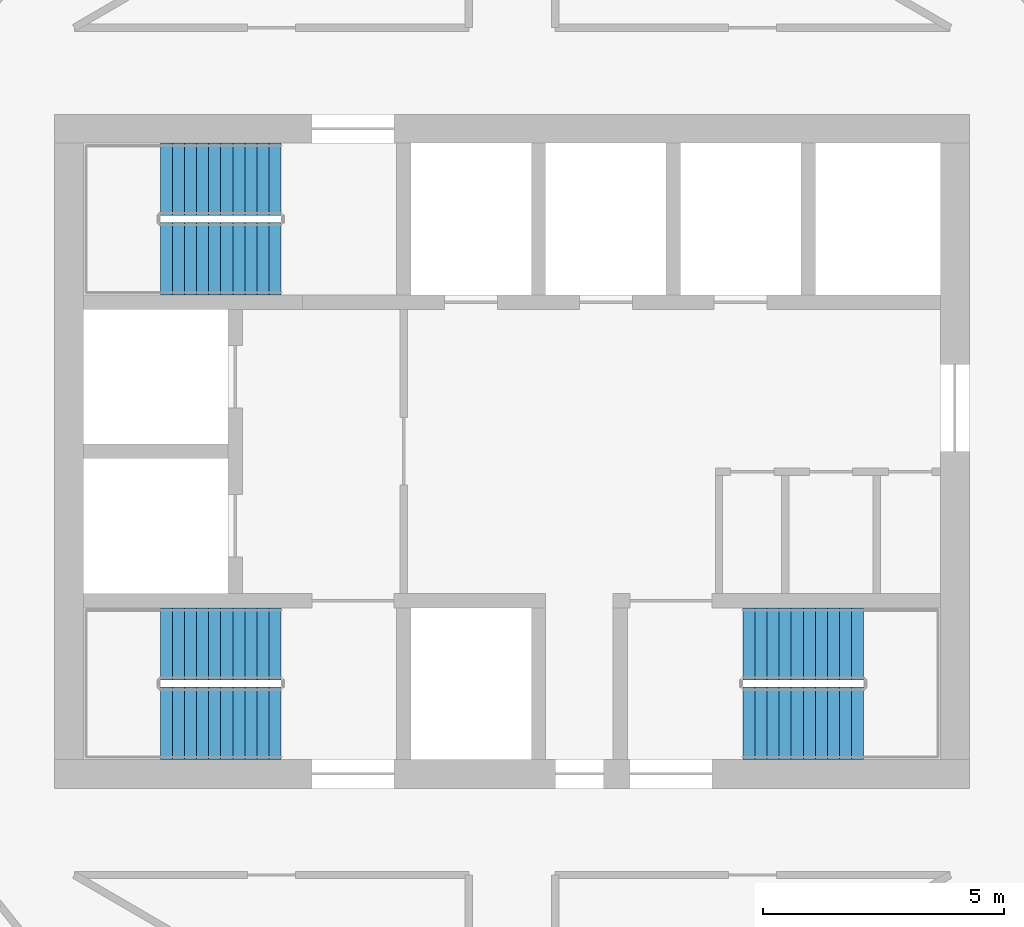
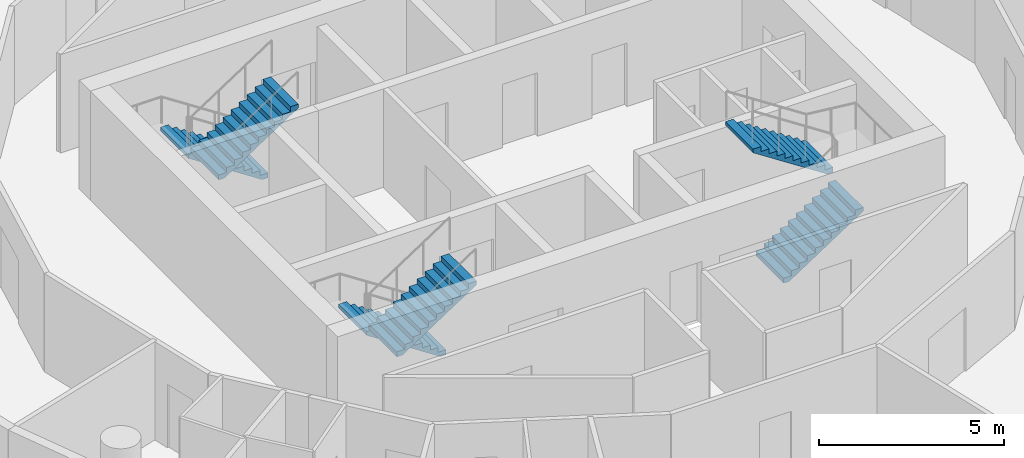
# One storey, part 12 of 13: 6 stair flights, 3 elements without a shape of their own.
"""IFC4 building model written with IfcOpenShell, lengths in metres."""

from ifc_helpers import new_model, si_unit, direction, frame, origin, place, context, subcontext, project, spatial, polyline, outline, extrude, material, type_object, element, aggregate, save


model = new_model("IFC4")

# Units and contexts
model_context = context("Model", 3, precision=1e-05, world=origin(), true_north=direction((0.0, 1.0)))
body_context = subcontext(model_context, "Body", "Model", "MODEL_VIEW")
ifc_project = project(units=[si_unit("LENGTHUNIT", "METRE"), si_unit("AREAUNIT", "SQUARE_METRE"), si_unit("VOLUMEUNIT", "CUBIC_METRE"), si_unit("PLANEANGLEUNIT", "RADIAN"), si_unit("MASSUNIT", "GRAM", prefix="KILO")], contexts=[model_context])

# Site, building, storey
site_placement = place(None, origin())
site = spatial("IfcSite", under=ifc_project, at=site_placement, CompositionType="ELEMENT")
building_placement = place(site_placement, origin())
building = spatial("IfcBuilding", under=site, at=building_placement, Name="Tracery Tower", CompositionType="ELEMENT")
storey_placement = place(building_placement, frame((0.0, 0.0, 259.800048828125)))
storey = spatial("IfcBuildingStorey", under=building, at=storey_placement, Name="L67", CompositionType="ELEMENT", Elevation=259.800048828125)

# Stair, stair flights
ifc_material_1 = material(Name="Concrete C32/40", Category="concrete")
stair_type = type_object("IfcStairType", Name="Core stair 22 risers", PredefinedType="HALF_TURN_STAIR", material=ifc_material_1)
stair_1_placement = place(storey_placement, origin())
stair_1 = element("IfcStair", 1, at=stair_1_placement, inside=storey, type_object=stair_type, Name="L67 stair ST1", PredefinedType="HALF_TURN_STAIR")
ifc_material_2 = material(Name="Concrete C32/40", Category="concrete")
stair_flight_type = type_object("IfcStairFlightType", Name="Core stair flight 11 risers", PredefinedType="STRAIGHT", material=ifc_material_2)
stair_flight_1_placement = place(storey_placement, frame((-4.800048828125, -4.0, 0.0), z_axis=(0.0, 0.0, 1.0), x_axis=(-1.0, 0.0, 0.0)))
stair_flight_1 = element("IfcStairFlight", 2, at=stair_flight_1_placement, type_object=stair_flight_type, Name="ST1 flight 1", NumberOfRisers=11, NumberOfTreads=10, PredefinedType="STRAIGHT", RiserHeight=0.163636364, TreadLength=0.25, context=body_context, shape_type="SweptSolid", body=[
    extrude(outline(polyline([(0.0, 0.0), (0.0, 0.002685546875), (0.0, 0.00537109375), (0.0, 0.008056640625), (0.0, 0.0107421875), (0.0, 0.013427734375), (0.0, 0.01611328125), (0.0, 0.018798828125), (0.0, 0.021484375), (0.0, 0.024169921875), (0.0, 0.02685546875), (0.0, 0.029541015625), (0.0, 0.0322265625), (0.0, 0.034912109375), (0.0, 0.03759765625), (0.0, 0.040283203125), (0.0, 0.04296875), (0.0, 0.045654296875), (0.0, 0.04833984375), (0.0, 0.051025390625), (0.0, 0.0537109375), (0.0, 0.056396484375), (0.0, 0.05908203125), (0.0, 0.061767578125), (0.0, 0.064453125), (0.0, 0.067138671875), (0.0, 0.06982421875), (0.0, 0.072509765625), (0.0, 0.0751953125), (0.0, 0.077880859375), (0.0, 0.08056640625), (0.0, 0.083251953125), (0.0, 0.0859375), (0.0, 0.088623046875), (0.0, 0.09130859375), (0.0, 0.093994140625), (0.0, 0.0966796875), (0.0, 0.099365234375), (0.0, 0.10205078125), (0.0, 0.104736328125), (0.0, 0.107421875), (0.0, 0.10986328125), (0.0, 0.112548828125), (0.0, 0.115234375), (0.0, 0.117919921875), (0.0, 0.12060546875), (0.0, 0.123291015625), (0.0, 0.1259765625), (0.0, 0.128662109375), (0.0, 0.13134765625), (0.0, 0.134033203125), (0.0, 0.13671875), (0.0, 0.139404296875), (0.0, 0.14208984375), (0.0, 0.144775390625), (0.0, 0.1474609375), (0.0, 0.150146484375), (0.0, 0.15283203125), (0.0, 0.155517578125), (0.0, 0.158203125), (0.0, 0.160888671875), (0.0, 0.16357421875), (0.25, 0.16357421875), (0.25, 0.327392578125), (0.5, 0.327392578125), (0.5, 0.490966796875), (0.75, 0.490966796875), (0.75, 0.654541015625), (1.0, 0.654541015625), (1.0, 0.818115234375), (1.25, 0.818115234375), (1.25, 0.98193359375), (1.5, 0.98193359375), (1.5, 1.1455078125), (1.75, 1.1455078125), (1.75, 1.30908203125), (2.0, 1.30908203125), (2.0, 1.47265625), (2.25, 1.47265625), (2.25, 1.636474609375), (2.5, 1.636474609375), (2.5, 1.634521484375), (2.5, 1.63232421875), (2.5, 1.63037109375), (2.5, 1.62841796875), (2.5, 1.62646484375), (2.5, 1.62451171875), (2.5, 1.62255859375), (2.5, 1.62060546875), (2.5, 1.61865234375), (2.5, 1.61669921875), (2.5, 1.61474609375), (2.5, 1.61279296875), (2.5, 1.61083984375), (2.5, 1.60888671875), (2.5, 1.60693359375), (2.5, 1.60498046875), (2.5, 1.60302734375), (2.5, 1.60107421875), (2.5, 1.59912109375), (2.5, 1.59716796875), (2.5, 1.59521484375), (2.5, 1.59326171875), (2.5, 1.59130859375), (2.5, 1.58935546875), (2.5, 1.58740234375), (2.5, 1.58544921875), (2.5, 1.58349609375), (2.5, 1.58154296875), (2.5, 1.57958984375), (2.5, 1.57763671875), (2.5, 1.57568359375), (2.5, 1.573486328125), (2.5, 1.571533203125), (2.5, 1.569580078125), (2.5, 1.567626953125), (2.5, 1.565673828125), (2.5, 1.563720703125), (2.5, 1.561767578125), (2.5, 1.559814453125), (2.5, 1.557861328125), (2.5, 1.555908203125), (2.5, 1.553955078125), (2.5, 1.552001953125), (2.5, 1.550048828125), (2.5, 1.548095703125), (2.5, 1.546142578125), (2.5, 1.544189453125), (2.5, 1.542236328125), (2.5, 1.540283203125), (2.5, 1.538330078125), (2.5, 1.536376953125), (2.5, 1.534423828125), (2.5, 1.532470703125), (2.5, 1.530517578125), (2.5, 1.528564453125), (2.5, 1.526611328125), (2.5, 1.524658203125), (2.5, 1.522705078125), (2.5, 1.520751953125), (2.5, 1.518798828125), (2.5, 1.516845703125), (0.182861328125, 0.0), (0.0, 0.0)])), frame((0.0, 0.75, 0.0), z_axis=(0.0, -1.0, 0.0), x_axis=(1.0, 0.0, 0.0)), (0.0, 0.0, 1.0), 1.5),
])
stair_flight_2_placement = place(storey_placement, frame((-7.300048828125, -5.64990234375, 1.800048828125), z_axis=(0.0, 0.0, 1.0), x_axis=(1.0, 0.0, 0.0)))
stair_flight_2 = element("IfcStairFlight", 3, at=stair_flight_2_placement, type_object=stair_flight_type, Name="ST1 flight 2", NumberOfRisers=11, NumberOfTreads=10, PredefinedType="STRAIGHT", RiserHeight=0.163636364, TreadLength=0.25, context=body_context, shape_type="SweptSolid", body=[
    extrude(outline(polyline([(0.0, 0.0), (0.0, 0.002685546875), (0.0, 0.00537109375), (0.0, 0.008056640625), (0.0, 0.0107421875), (0.0, 0.013427734375), (0.0, 0.01611328125), (0.0, 0.018798828125), (0.0, 0.021484375), (0.0, 0.024169921875), (0.0, 0.02685546875), (0.0, 0.029541015625), (0.0, 0.0322265625), (0.0, 0.034912109375), (0.0, 0.03759765625), (0.0, 0.040283203125), (0.0, 0.04296875), (0.0, 0.045654296875), (0.0, 0.04833984375), (0.0, 0.051025390625), (0.0, 0.0537109375), (0.0, 0.056396484375), (0.0, 0.05908203125), (0.0, 0.061767578125), (0.0, 0.064453125), (0.0, 0.067138671875), (0.0, 0.06982421875), (0.0, 0.072509765625), (0.0, 0.0751953125), (0.0, 0.077880859375), (0.0, 0.08056640625), (0.0, 0.083251953125), (0.0, 0.0859375), (0.0, 0.088623046875), (0.0, 0.09130859375), (0.0, 0.093994140625), (0.0, 0.0966796875), (0.0, 0.099365234375), (0.0, 0.10205078125), (0.0, 0.104736328125), (0.0, 0.107421875), (0.0, 0.10986328125), (0.0, 0.112548828125), (0.0, 0.115234375), (0.0, 0.117919921875), (0.0, 0.12060546875), (0.0, 0.123291015625), (0.0, 0.1259765625), (0.0, 0.128662109375), (0.0, 0.13134765625), (0.0, 0.134033203125), (0.0, 0.13671875), (0.0, 0.139404296875), (0.0, 0.14208984375), (0.0, 0.144775390625), (0.0, 0.1474609375), (0.0, 0.150146484375), (0.0, 0.15283203125), (0.0, 0.155517578125), (0.0, 0.158203125), (0.0, 0.160888671875), (0.0, 0.16357421875), (0.25, 0.16357421875), (0.25, 0.327392578125), (0.5, 0.327392578125), (0.5, 0.490966796875), (0.75, 0.490966796875), (0.75, 0.654541015625), (1.0, 0.654541015625), (1.0, 0.818115234375), (1.25, 0.818115234375), (1.25, 0.98193359375), (1.5, 0.98193359375), (1.5, 1.1455078125), (1.75, 1.1455078125), (1.75, 1.30908203125), (2.0, 1.30908203125), (2.0, 1.47265625), (2.25, 1.47265625), (2.25, 1.636474609375), (2.5, 1.636474609375), (2.5, 1.634521484375), (2.5, 1.63232421875), (2.5, 1.63037109375), (2.5, 1.62841796875), (2.5, 1.62646484375), (2.5, 1.62451171875), (2.5, 1.62255859375), (2.5, 1.62060546875), (2.5, 1.61865234375), (2.5, 1.61669921875), (2.5, 1.61474609375), (2.5, 1.61279296875), (2.5, 1.61083984375), (2.5, 1.60888671875), (2.5, 1.60693359375), (2.5, 1.60498046875), (2.5, 1.60302734375), (2.5, 1.60107421875), (2.5, 1.59912109375), (2.5, 1.59716796875), (2.5, 1.59521484375), (2.5, 1.59326171875), (2.5, 1.59130859375), (2.5, 1.58935546875), (2.5, 1.58740234375), (2.5, 1.58544921875), (2.5, 1.58349609375), (2.5, 1.58154296875), (2.5, 1.57958984375), (2.5, 1.57763671875), (2.5, 1.57568359375), (2.5, 1.573486328125), (2.5, 1.571533203125), (2.5, 1.569580078125), (2.5, 1.567626953125), (2.5, 1.565673828125), (2.5, 1.563720703125), (2.5, 1.561767578125), (2.5, 1.559814453125), (2.5, 1.557861328125), (2.5, 1.555908203125), (2.5, 1.553955078125), (2.5, 1.552001953125), (2.5, 1.550048828125), (2.5, 1.548095703125), (2.5, 1.546142578125), (2.5, 1.544189453125), (2.5, 1.542236328125), (2.5, 1.540283203125), (2.5, 1.538330078125), (2.5, 1.536376953125), (2.5, 1.534423828125), (2.5, 1.532470703125), (2.5, 1.530517578125), (2.5, 1.528564453125), (2.5, 1.526611328125), (2.5, 1.524658203125), (2.5, 1.522705078125), (2.5, 1.520751953125), (2.5, 1.518798828125), (2.5, 1.516845703125), (0.182861328125, 0.0), (0.0, 0.0)])), frame((0.0, 0.75, 0.0), z_axis=(0.0, -1.0, 0.0), x_axis=(1.0, 0.0, 0.0)), (0.0, 0.0, 1.0), 1.5),
])
aggregate(stair_1, [stair_flight_1, stair_flight_2])

stair_2_placement = place(storey_placement, origin())
stair_2 = element("IfcStair", 4, at=stair_2_placement, inside=storey, type_object=stair_type, Name="L67 stair ST3", PredefinedType="HALF_TURN_STAIR")
stair_flight_3_placement = place(storey_placement, frame((-4.800048828125, 5.64990234375, 0.0), z_axis=(0.0, 0.0, 1.0), x_axis=(-1.0, 0.0, 0.0)))
stair_flight_3 = element("IfcStairFlight", 5, at=stair_flight_3_placement, type_object=stair_flight_type, Name="ST3 flight 1", NumberOfRisers=11, NumberOfTreads=10, PredefinedType="STRAIGHT", RiserHeight=0.163636364, TreadLength=0.25, context=body_context, shape_type="SweptSolid", body=[
    extrude(outline(polyline([(0.0, 0.0), (0.0, 0.002685546875), (0.0, 0.00537109375), (0.0, 0.008056640625), (0.0, 0.0107421875), (0.0, 0.013427734375), (0.0, 0.01611328125), (0.0, 0.018798828125), (0.0, 0.021484375), (0.0, 0.024169921875), (0.0, 0.02685546875), (0.0, 0.029541015625), (0.0, 0.0322265625), (0.0, 0.034912109375), (0.0, 0.03759765625), (0.0, 0.040283203125), (0.0, 0.04296875), (0.0, 0.045654296875), (0.0, 0.04833984375), (0.0, 0.051025390625), (0.0, 0.0537109375), (0.0, 0.056396484375), (0.0, 0.05908203125), (0.0, 0.061767578125), (0.0, 0.064453125), (0.0, 0.067138671875), (0.0, 0.06982421875), (0.0, 0.072509765625), (0.0, 0.0751953125), (0.0, 0.077880859375), (0.0, 0.08056640625), (0.0, 0.083251953125), (0.0, 0.0859375), (0.0, 0.088623046875), (0.0, 0.09130859375), (0.0, 0.093994140625), (0.0, 0.0966796875), (0.0, 0.099365234375), (0.0, 0.10205078125), (0.0, 0.104736328125), (0.0, 0.107421875), (0.0, 0.10986328125), (0.0, 0.112548828125), (0.0, 0.115234375), (0.0, 0.117919921875), (0.0, 0.12060546875), (0.0, 0.123291015625), (0.0, 0.1259765625), (0.0, 0.128662109375), (0.0, 0.13134765625), (0.0, 0.134033203125), (0.0, 0.13671875), (0.0, 0.139404296875), (0.0, 0.14208984375), (0.0, 0.144775390625), (0.0, 0.1474609375), (0.0, 0.150146484375), (0.0, 0.15283203125), (0.0, 0.155517578125), (0.0, 0.158203125), (0.0, 0.160888671875), (0.0, 0.16357421875), (0.25, 0.16357421875), (0.25, 0.327392578125), (0.5, 0.327392578125), (0.5, 0.490966796875), (0.75, 0.490966796875), (0.75, 0.654541015625), (1.0, 0.654541015625), (1.0, 0.818115234375), (1.25, 0.818115234375), (1.25, 0.98193359375), (1.5, 0.98193359375), (1.5, 1.1455078125), (1.75, 1.1455078125), (1.75, 1.30908203125), (2.0, 1.30908203125), (2.0, 1.47265625), (2.25, 1.47265625), (2.25, 1.636474609375), (2.5, 1.636474609375), (2.5, 1.634521484375), (2.5, 1.63232421875), (2.5, 1.63037109375), (2.5, 1.62841796875), (2.5, 1.62646484375), (2.5, 1.62451171875), (2.5, 1.62255859375), (2.5, 1.62060546875), (2.5, 1.61865234375), (2.5, 1.61669921875), (2.5, 1.61474609375), (2.5, 1.61279296875), (2.5, 1.61083984375), (2.5, 1.60888671875), (2.5, 1.60693359375), (2.5, 1.60498046875), (2.5, 1.60302734375), (2.5, 1.60107421875), (2.5, 1.59912109375), (2.5, 1.59716796875), (2.5, 1.59521484375), (2.5, 1.59326171875), (2.5, 1.59130859375), (2.5, 1.58935546875), (2.5, 1.58740234375), (2.5, 1.58544921875), (2.5, 1.58349609375), (2.5, 1.58154296875), (2.5, 1.57958984375), (2.5, 1.57763671875), (2.5, 1.57568359375), (2.5, 1.573486328125), (2.5, 1.571533203125), (2.5, 1.569580078125), (2.5, 1.567626953125), (2.5, 1.565673828125), (2.5, 1.563720703125), (2.5, 1.561767578125), (2.5, 1.559814453125), (2.5, 1.557861328125), (2.5, 1.555908203125), (2.5, 1.553955078125), (2.5, 1.552001953125), (2.5, 1.550048828125), (2.5, 1.548095703125), (2.5, 1.546142578125), (2.5, 1.544189453125), (2.5, 1.542236328125), (2.5, 1.540283203125), (2.5, 1.538330078125), (2.5, 1.536376953125), (2.5, 1.534423828125), (2.5, 1.532470703125), (2.5, 1.530517578125), (2.5, 1.528564453125), (2.5, 1.526611328125), (2.5, 1.524658203125), (2.5, 1.522705078125), (2.5, 1.520751953125), (2.5, 1.518798828125), (2.5, 1.516845703125), (0.182861328125, 0.0), (0.0, 0.0)])), frame((0.0, 0.75, 0.0), z_axis=(0.0, -1.0, 0.0), x_axis=(1.0, 0.0, 0.0)), (0.0, 0.0, 1.0), 1.5),
])
stair_flight_4_placement = place(storey_placement, frame((-7.300048828125, 4.0, 1.800048828125), z_axis=(0.0, 0.0, 1.0), x_axis=(1.0, 0.0, 0.0)))
stair_flight_4 = element("IfcStairFlight", 6, at=stair_flight_4_placement, type_object=stair_flight_type, Name="ST3 flight 2", NumberOfRisers=11, NumberOfTreads=10, PredefinedType="STRAIGHT", RiserHeight=0.163636364, TreadLength=0.25, context=body_context, shape_type="SweptSolid", body=[
    extrude(outline(polyline([(0.0, 0.0), (0.0, 0.002685546875), (0.0, 0.00537109375), (0.0, 0.008056640625), (0.0, 0.0107421875), (0.0, 0.013427734375), (0.0, 0.01611328125), (0.0, 0.018798828125), (0.0, 0.021484375), (0.0, 0.024169921875), (0.0, 0.02685546875), (0.0, 0.029541015625), (0.0, 0.0322265625), (0.0, 0.034912109375), (0.0, 0.03759765625), (0.0, 0.040283203125), (0.0, 0.04296875), (0.0, 0.045654296875), (0.0, 0.04833984375), (0.0, 0.051025390625), (0.0, 0.0537109375), (0.0, 0.056396484375), (0.0, 0.05908203125), (0.0, 0.061767578125), (0.0, 0.064453125), (0.0, 0.067138671875), (0.0, 0.06982421875), (0.0, 0.072509765625), (0.0, 0.0751953125), (0.0, 0.077880859375), (0.0, 0.08056640625), (0.0, 0.083251953125), (0.0, 0.0859375), (0.0, 0.088623046875), (0.0, 0.09130859375), (0.0, 0.093994140625), (0.0, 0.0966796875), (0.0, 0.099365234375), (0.0, 0.10205078125), (0.0, 0.104736328125), (0.0, 0.107421875), (0.0, 0.10986328125), (0.0, 0.112548828125), (0.0, 0.115234375), (0.0, 0.117919921875), (0.0, 0.12060546875), (0.0, 0.123291015625), (0.0, 0.1259765625), (0.0, 0.128662109375), (0.0, 0.13134765625), (0.0, 0.134033203125), (0.0, 0.13671875), (0.0, 0.139404296875), (0.0, 0.14208984375), (0.0, 0.144775390625), (0.0, 0.1474609375), (0.0, 0.150146484375), (0.0, 0.15283203125), (0.0, 0.155517578125), (0.0, 0.158203125), (0.0, 0.160888671875), (0.0, 0.16357421875), (0.25, 0.16357421875), (0.25, 0.327392578125), (0.5, 0.327392578125), (0.5, 0.490966796875), (0.75, 0.490966796875), (0.75, 0.654541015625), (1.0, 0.654541015625), (1.0, 0.818115234375), (1.25, 0.818115234375), (1.25, 0.98193359375), (1.5, 0.98193359375), (1.5, 1.1455078125), (1.75, 1.1455078125), (1.75, 1.30908203125), (2.0, 1.30908203125), (2.0, 1.47265625), (2.25, 1.47265625), (2.25, 1.636474609375), (2.5, 1.636474609375), (2.5, 1.634521484375), (2.5, 1.63232421875), (2.5, 1.63037109375), (2.5, 1.62841796875), (2.5, 1.62646484375), (2.5, 1.62451171875), (2.5, 1.62255859375), (2.5, 1.62060546875), (2.5, 1.61865234375), (2.5, 1.61669921875), (2.5, 1.61474609375), (2.5, 1.61279296875), (2.5, 1.61083984375), (2.5, 1.60888671875), (2.5, 1.60693359375), (2.5, 1.60498046875), (2.5, 1.60302734375), (2.5, 1.60107421875), (2.5, 1.59912109375), (2.5, 1.59716796875), (2.5, 1.59521484375), (2.5, 1.59326171875), (2.5, 1.59130859375), (2.5, 1.58935546875), (2.5, 1.58740234375), (2.5, 1.58544921875), (2.5, 1.58349609375), (2.5, 1.58154296875), (2.5, 1.57958984375), (2.5, 1.57763671875), (2.5, 1.57568359375), (2.5, 1.573486328125), (2.5, 1.571533203125), (2.5, 1.569580078125), (2.5, 1.567626953125), (2.5, 1.565673828125), (2.5, 1.563720703125), (2.5, 1.561767578125), (2.5, 1.559814453125), (2.5, 1.557861328125), (2.5, 1.555908203125), (2.5, 1.553955078125), (2.5, 1.552001953125), (2.5, 1.550048828125), (2.5, 1.548095703125), (2.5, 1.546142578125), (2.5, 1.544189453125), (2.5, 1.542236328125), (2.5, 1.540283203125), (2.5, 1.538330078125), (2.5, 1.536376953125), (2.5, 1.534423828125), (2.5, 1.532470703125), (2.5, 1.530517578125), (2.5, 1.528564453125), (2.5, 1.526611328125), (2.5, 1.524658203125), (2.5, 1.522705078125), (2.5, 1.520751953125), (2.5, 1.518798828125), (2.5, 1.516845703125), (0.182861328125, 0.0), (0.0, 0.0)])), frame((0.0, 0.75, 0.0), z_axis=(0.0, -1.0, 0.0), x_axis=(1.0, 0.0, 0.0)), (0.0, 0.0, 1.0), 1.5),
])
aggregate(stair_2, [stair_flight_3, stair_flight_4])

stair_3_placement = place(storey_placement, origin())
stair_3 = element("IfcStair", 7, at=stair_3_placement, inside=storey, type_object=stair_type, Name="L67 stair ST2", PredefinedType="HALF_TURN_STAIR")
stair_flight_5_placement = place(storey_placement, frame((4.800048828125, -5.64990234375, 0.0), z_axis=(0.0, 0.0, 1.0), x_axis=(1.0, 0.0, 0.0)))
stair_flight_5 = element("IfcStairFlight", 8, at=stair_flight_5_placement, type_object=stair_flight_type, Name="ST2 flight 1", NumberOfRisers=11, NumberOfTreads=10, PredefinedType="STRAIGHT", RiserHeight=0.163636364, TreadLength=0.25, context=body_context, shape_type="SweptSolid", body=[
    extrude(outline(polyline([(0.0, 0.0), (0.0, 0.002685546875), (0.0, 0.00537109375), (0.0, 0.008056640625), (0.0, 0.0107421875), (0.0, 0.013427734375), (0.0, 0.01611328125), (0.0, 0.018798828125), (0.0, 0.021484375), (0.0, 0.024169921875), (0.0, 0.02685546875), (0.0, 0.029541015625), (0.0, 0.0322265625), (0.0, 0.034912109375), (0.0, 0.03759765625), (0.0, 0.040283203125), (0.0, 0.04296875), (0.0, 0.045654296875), (0.0, 0.04833984375), (0.0, 0.051025390625), (0.0, 0.0537109375), (0.0, 0.056396484375), (0.0, 0.05908203125), (0.0, 0.061767578125), (0.0, 0.064453125), (0.0, 0.067138671875), (0.0, 0.06982421875), (0.0, 0.072509765625), (0.0, 0.0751953125), (0.0, 0.077880859375), (0.0, 0.08056640625), (0.0, 0.083251953125), (0.0, 0.0859375), (0.0, 0.088623046875), (0.0, 0.09130859375), (0.0, 0.093994140625), (0.0, 0.0966796875), (0.0, 0.099365234375), (0.0, 0.10205078125), (0.0, 0.104736328125), (0.0, 0.107421875), (0.0, 0.10986328125), (0.0, 0.112548828125), (0.0, 0.115234375), (0.0, 0.117919921875), (0.0, 0.12060546875), (0.0, 0.123291015625), (0.0, 0.1259765625), (0.0, 0.128662109375), (0.0, 0.13134765625), (0.0, 0.134033203125), (0.0, 0.13671875), (0.0, 0.139404296875), (0.0, 0.14208984375), (0.0, 0.144775390625), (0.0, 0.1474609375), (0.0, 0.150146484375), (0.0, 0.15283203125), (0.0, 0.155517578125), (0.0, 0.158203125), (0.0, 0.160888671875), (0.0, 0.16357421875), (0.25, 0.16357421875), (0.25, 0.327392578125), (0.5, 0.327392578125), (0.5, 0.490966796875), (0.75, 0.490966796875), (0.75, 0.654541015625), (1.0, 0.654541015625), (1.0, 0.818115234375), (1.25, 0.818115234375), (1.25, 0.98193359375), (1.5, 0.98193359375), (1.5, 1.1455078125), (1.75, 1.1455078125), (1.75, 1.30908203125), (2.0, 1.30908203125), (2.0, 1.47265625), (2.25, 1.47265625), (2.25, 1.636474609375), (2.5, 1.636474609375), (2.5, 1.634521484375), (2.5, 1.63232421875), (2.5, 1.63037109375), (2.5, 1.62841796875), (2.5, 1.62646484375), (2.5, 1.62451171875), (2.5, 1.62255859375), (2.5, 1.62060546875), (2.5, 1.61865234375), (2.5, 1.61669921875), (2.5, 1.61474609375), (2.5, 1.61279296875), (2.5, 1.61083984375), (2.5, 1.60888671875), (2.5, 1.60693359375), (2.5, 1.60498046875), (2.5, 1.60302734375), (2.5, 1.60107421875), (2.5, 1.59912109375), (2.5, 1.59716796875), (2.5, 1.59521484375), (2.5, 1.59326171875), (2.5, 1.59130859375), (2.5, 1.58935546875), (2.5, 1.58740234375), (2.5, 1.58544921875), (2.5, 1.58349609375), (2.5, 1.58154296875), (2.5, 1.57958984375), (2.5, 1.57763671875), (2.5, 1.57568359375), (2.5, 1.573486328125), (2.5, 1.571533203125), (2.5, 1.569580078125), (2.5, 1.567626953125), (2.5, 1.565673828125), (2.5, 1.563720703125), (2.5, 1.561767578125), (2.5, 1.559814453125), (2.5, 1.557861328125), (2.5, 1.555908203125), (2.5, 1.553955078125), (2.5, 1.552001953125), (2.5, 1.550048828125), (2.5, 1.548095703125), (2.5, 1.546142578125), (2.5, 1.544189453125), (2.5, 1.542236328125), (2.5, 1.540283203125), (2.5, 1.538330078125), (2.5, 1.536376953125), (2.5, 1.534423828125), (2.5, 1.532470703125), (2.5, 1.530517578125), (2.5, 1.528564453125), (2.5, 1.526611328125), (2.5, 1.524658203125), (2.5, 1.522705078125), (2.5, 1.520751953125), (2.5, 1.518798828125), (2.5, 1.516845703125), (0.182861328125, 0.0), (0.0, 0.0)])), frame((0.0, 0.75, 0.0), z_axis=(0.0, -1.0, 0.0), x_axis=(1.0, 0.0, 0.0)), (0.0, 0.0, 1.0), 1.5),
])
stair_flight_6_placement = place(storey_placement, frame((7.300048828125, -4.0, 1.800048828125), z_axis=(0.0, 0.0, 1.0), x_axis=(-1.0, 0.0, 0.0)))
stair_flight_6 = element("IfcStairFlight", 9, at=stair_flight_6_placement, type_object=stair_flight_type, Name="ST2 flight 2", NumberOfRisers=11, NumberOfTreads=10, PredefinedType="STRAIGHT", RiserHeight=0.163636364, TreadLength=0.25, context=body_context, shape_type="SweptSolid", body=[
    extrude(outline(polyline([(0.0, 0.0), (0.0, 0.002685546875), (0.0, 0.00537109375), (0.0, 0.008056640625), (0.0, 0.0107421875), (0.0, 0.013427734375), (0.0, 0.01611328125), (0.0, 0.018798828125), (0.0, 0.021484375), (0.0, 0.024169921875), (0.0, 0.02685546875), (0.0, 0.029541015625), (0.0, 0.0322265625), (0.0, 0.034912109375), (0.0, 0.03759765625), (0.0, 0.040283203125), (0.0, 0.04296875), (0.0, 0.045654296875), (0.0, 0.04833984375), (0.0, 0.051025390625), (0.0, 0.0537109375), (0.0, 0.056396484375), (0.0, 0.05908203125), (0.0, 0.061767578125), (0.0, 0.064453125), (0.0, 0.067138671875), (0.0, 0.06982421875), (0.0, 0.072509765625), (0.0, 0.0751953125), (0.0, 0.077880859375), (0.0, 0.08056640625), (0.0, 0.083251953125), (0.0, 0.0859375), (0.0, 0.088623046875), (0.0, 0.09130859375), (0.0, 0.093994140625), (0.0, 0.0966796875), (0.0, 0.099365234375), (0.0, 0.10205078125), (0.0, 0.104736328125), (0.0, 0.107421875), (0.0, 0.10986328125), (0.0, 0.112548828125), (0.0, 0.115234375), (0.0, 0.117919921875), (0.0, 0.12060546875), (0.0, 0.123291015625), (0.0, 0.1259765625), (0.0, 0.128662109375), (0.0, 0.13134765625), (0.0, 0.134033203125), (0.0, 0.13671875), (0.0, 0.139404296875), (0.0, 0.14208984375), (0.0, 0.144775390625), (0.0, 0.1474609375), (0.0, 0.150146484375), (0.0, 0.15283203125), (0.0, 0.155517578125), (0.0, 0.158203125), (0.0, 0.160888671875), (0.0, 0.16357421875), (0.25, 0.16357421875), (0.25, 0.327392578125), (0.5, 0.327392578125), (0.5, 0.490966796875), (0.75, 0.490966796875), (0.75, 0.654541015625), (1.0, 0.654541015625), (1.0, 0.818115234375), (1.25, 0.818115234375), (1.25, 0.98193359375), (1.5, 0.98193359375), (1.5, 1.1455078125), (1.75, 1.1455078125), (1.75, 1.30908203125), (2.0, 1.30908203125), (2.0, 1.47265625), (2.25, 1.47265625), (2.25, 1.636474609375), (2.5, 1.636474609375), (2.5, 1.634521484375), (2.5, 1.63232421875), (2.5, 1.63037109375), (2.5, 1.62841796875), (2.5, 1.62646484375), (2.5, 1.62451171875), (2.5, 1.62255859375), (2.5, 1.62060546875), (2.5, 1.61865234375), (2.5, 1.61669921875), (2.5, 1.61474609375), (2.5, 1.61279296875), (2.5, 1.61083984375), (2.5, 1.60888671875), (2.5, 1.60693359375), (2.5, 1.60498046875), (2.5, 1.60302734375), (2.5, 1.60107421875), (2.5, 1.59912109375), (2.5, 1.59716796875), (2.5, 1.59521484375), (2.5, 1.59326171875), (2.5, 1.59130859375), (2.5, 1.58935546875), (2.5, 1.58740234375), (2.5, 1.58544921875), (2.5, 1.58349609375), (2.5, 1.58154296875), (2.5, 1.57958984375), (2.5, 1.57763671875), (2.5, 1.57568359375), (2.5, 1.573486328125), (2.5, 1.571533203125), (2.5, 1.569580078125), (2.5, 1.567626953125), (2.5, 1.565673828125), (2.5, 1.563720703125), (2.5, 1.561767578125), (2.5, 1.559814453125), (2.5, 1.557861328125), (2.5, 1.555908203125), (2.5, 1.553955078125), (2.5, 1.552001953125), (2.5, 1.550048828125), (2.5, 1.548095703125), (2.5, 1.546142578125), (2.5, 1.544189453125), (2.5, 1.542236328125), (2.5, 1.540283203125), (2.5, 1.538330078125), (2.5, 1.536376953125), (2.5, 1.534423828125), (2.5, 1.532470703125), (2.5, 1.530517578125), (2.5, 1.528564453125), (2.5, 1.526611328125), (2.5, 1.524658203125), (2.5, 1.522705078125), (2.5, 1.520751953125), (2.5, 1.518798828125), (2.5, 1.516845703125), (0.182861328125, 0.0), (0.0, 0.0)])), frame((0.0, 0.75, 0.0), z_axis=(0.0, -1.0, 0.0), x_axis=(1.0, 0.0, 0.0)), (0.0, 0.0, 1.0), 1.5),
])
aggregate(stair_3, [stair_flight_5, stair_flight_6])

save(model, "model.ifc")
